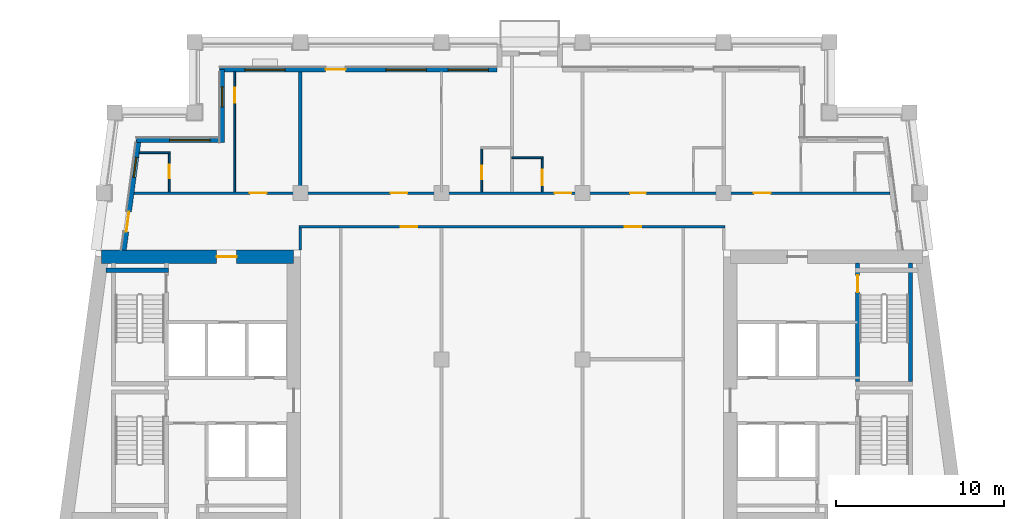
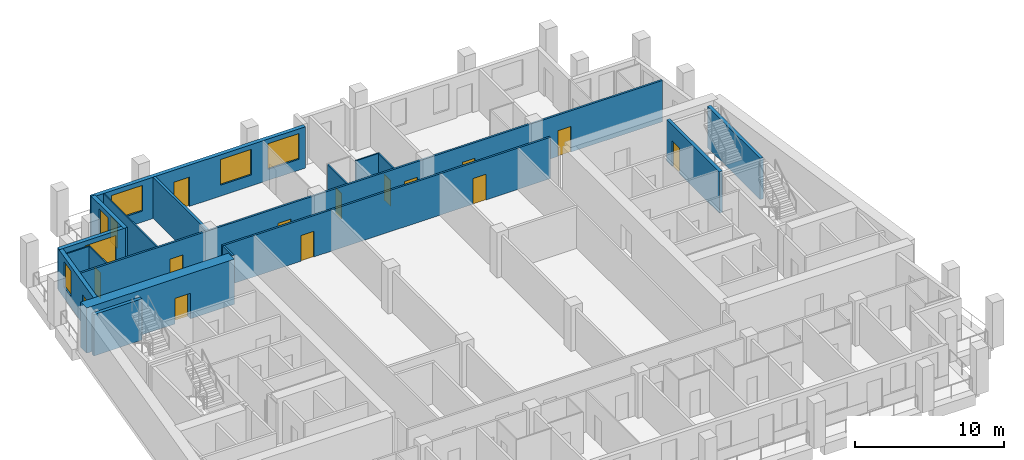
# One storey, part 6 of 13: 18 walls, 15 doors, 6 windows, 21 openings.
"""IFC4 building model written with IfcOpenShell, lengths in metres."""

import ifcopenshell
import ifcopenshell.guid

model = None  # the IFC model being written
_history = None  # IfcOwnerHistory: only IFC2X3 demands one
_inside = {}  # id of a spatial element -> (the spatial element, [elements in it])
_under = {}  # id of a project, library or spatial element -> (it, [spatial elements below it])
_declared = {}  # id of a project -> (the project, [libraries it declares])
_typed = {}  # id of a type object -> (the type object, [elements of that type])
_made_of = {}  # id of a material, layer set ... -> (it, [elements and type objects made of it])


def new_model(schema):
    """Start an empty IFC model of exactly this schema.

    Asked for "IFC4X3", IfcOpenShell would pick the latest addendum, in which some entities
    have other attributes; the version numbers below select the first issue.
    IFC2X3 requires an IfcOwnerHistory on every rooted entity: one is made here for all.
    """
    global model, _history
    if schema == "IFC4X3":
        model = ifcopenshell.file(schema_version=(4, 3, 0, 0))
    else:
        model = ifcopenshell.file(schema=schema)
    _inside.clear()
    _under.clear()
    _declared.clear()
    _typed.clear()
    _made_of.clear()
    _history = None
    if model.schema == "IFC2X3":
        org = make("IfcOrganization", Name="unknown")
        user = make(
            "IfcPersonAndOrganization",
            ThePerson=make("IfcPerson", FamilyName="unknown"),
            TheOrganization=org,
        )
        app = make(
            "IfcApplication",
            ApplicationDeveloper=org,
            Version="unknown",
            ApplicationFullName="unknown",
            ApplicationIdentifier="unknown",
        )
        _history = make(
            "IfcOwnerHistory",
            OwningUser=user,
            OwningApplication=app,
            ChangeAction="ADDED",
            CreationDate=0,
        )
    return model


def make(cls, **values):
    """One entity of the class cls with the attributes given. An attribute that is None is left unset."""
    return model.create_entity(
        cls, **{name: value for name, value in values.items() if value is not None}
    )


def rooted(cls, **values):
    """An entity with a GlobalId (a new one), such as an element, a storey or a relation."""
    return make(cls, GlobalId=ifcopenshell.guid.new(), OwnerHistory=_history, **values)


def si_unit(unit_type, name, prefix=None):
    """IfcSIUnit, for example si_unit("LENGTHUNIT", "METRE", prefix="MILLI")."""
    return make("IfcSIUnit", UnitType=unit_type, Prefix=prefix, Name=name)


def assignment(units):
    """IfcUnitAssignment: the units of a project."""
    return None if units is None else make("IfcUnitAssignment", Units=units)


def point(xyz):
    """IfcCartesianPoint."""
    return None if xyz is None else make("IfcCartesianPoint", Coordinates=xyz)


def direction(xyz):
    """IfcDirection."""
    return None if xyz is None else make("IfcDirection", DirectionRatios=xyz)


def frame(location, z_axis=None, x_axis=None):
    """IfcAxis2Placement3D, a coordinate frame: its origin and axes. An axis left out is left unset."""
    return make(
        "IfcAxis2Placement3D",
        Location=point(location),
        Axis=direction(z_axis),
        RefDirection=direction(x_axis),
    )


def frame_2d(location, x_axis=None):
    """IfcAxis2Placement2D, a coordinate frame in the plane: its origin and x axis."""
    return make(
        "IfcAxis2Placement2D", Location=point(location), RefDirection=direction(x_axis)
    )


def origin():
    """The frame at (0, 0, 0) with its axes left unset."""
    return frame((0.0, 0.0, 0.0))


def place(relative_to, where):
    """IfcLocalPlacement: puts the frame where relative to a parent placement (None: the world)."""
    return make(
        "IfcLocalPlacement", PlacementRelTo=relative_to, RelativePlacement=where
    )


def context(
    kind, dimensions, precision=None, world=None, true_north=None, identifier=None
):
    """IfcGeometricRepresentationContext, for example the 3D "Model" context."""
    return make(
        "IfcGeometricRepresentationContext",
        ContextIdentifier=identifier,
        ContextType=kind,
        CoordinateSpaceDimension=dimensions,
        Precision=precision,
        WorldCoordinateSystem=world,
        TrueNorth=true_north,
    )


def subcontext(parent, identifier, kind, view, scale=None):
    """IfcGeometricRepresentationSubContext, for example "Body" below "Model"."""
    return make(
        "IfcGeometricRepresentationSubContext",
        ContextIdentifier=identifier,
        ContextType=kind,
        ParentContext=parent,
        TargetScale=scale,
        TargetView=view,
    )


def project(units=None, contexts=None):
    """IfcProject with its units and contexts."""
    return rooted(
        "IfcProject",
        Name="project",
        RepresentationContexts=contexts,
        UnitsInContext=assignment(units),
    )


def spatial(cls, under=None, at=None, **own):
    """A site, building, storey or space (cls), placed at a placement, below another one or the project."""
    s = rooted(cls, ObjectPlacement=at, **own)
    if under is not None:
        _under.setdefault(under.id(), (under, []))[1].append(s)
    return s


def profile(cls, at=None, kind="AREA", **sizes):
    """A parametric profile (cls). Its sizes go by their IFC names, for example OverallWidth=200.0."""
    return make(cls, ProfileType=kind, Position=at, **sizes)


def rectangle(**sizes):
    """IfcRectangleProfileDef."""
    return profile("IfcRectangleProfileDef", **sizes)


def extrude(swept, where, along, depth):
    """IfcExtrudedAreaSolid: the profile swept, set in the frame where, extruded along a direction by depth."""
    return make(
        "IfcExtrudedAreaSolid",
        SweptArea=swept,
        Position=where,
        ExtrudedDirection=direction(along),
        Depth=depth,
    )


def shape(context_of_items, identifier, shape_type, items):
    """IfcShapeRepresentation: the items that make up one representation, for example the "Body"."""
    return make(
        "IfcShapeRepresentation",
        ContextOfItems=context_of_items,
        RepresentationIdentifier=identifier,
        RepresentationType=shape_type,
        Items=items,
    )


def material(Name=None, Category=None):
    """IfcMaterial."""
    return make("IfcMaterial", Name=Name, Category=Category)


def layer(
    of_material, thickness, ventilated=None, Name=None, Category=None, Priority=None
):
    """IfcMaterialLayer: one layer of a wall or slab, of a material (None: an air gap)."""
    return make(
        "IfcMaterialLayer",
        Material=of_material,
        LayerThickness=thickness,
        IsVentilated=ventilated,
        Name=Name,
        Category=Category,
        Priority=Priority,
    )


def layer_set(layers, Name=None):
    """IfcMaterialLayerSet."""
    return make("IfcMaterialLayerSet", MaterialLayers=layers, LayerSetName=Name)


def made_of(thing, what):
    """Note that an element or type object is made of a material, layer set ...; save() writes the relation."""
    if what is not None:
        _made_of.setdefault(what.id(), (what, []))[1].append(thing)
    return thing


def type_object(cls, material=None, **own):
    """A type object (cls), such as IfcWallType, which elements share."""
    return made_of(rooted(cls, **own), material)


def element(
    cls,
    number,
    at=None,
    inside=None,
    cuts=None,
    type_object=None,
    material=None,
    context=None,
    identifier="Body",
    shape_type=None,
    held_by="IfcProductDefinitionShape",
    body=None,
    shapes=None,
    **own,
):
    """One element of the class cls, such as IfcWall. Its Tag is "e" and its number.

    at: its placement. inside: the storey or other place that contains it. cuts: it is an
    opening in that element (IfcRelVoidsElement). A single representation is given by context,
    identifier, shape_type and body (its items); several are given by shapes. held_by: the class
    of the entity that holds the representations. save() writes the other relations.
    """
    e = rooted(cls, Tag="e%d" % number, ObjectPlacement=at, **own)
    if body is not None:
        shapes = [shape(context, identifier, shape_type, body)]
    if shapes is not None:
        e.Representation = make(held_by, Representations=shapes)
    if inside is not None:
        _inside.setdefault(inside.id(), (inside, []))[1].append(e)
    if cuts is not None:
        rooted(
            "IfcRelVoidsElement", RelatingBuildingElement=cuts, RelatedOpeningElement=e
        )
    if type_object is not None:
        _typed.setdefault(type_object.id(), (type_object, []))[1].append(e)
    return made_of(e, material)


def fill(opening, filler):
    """IfcRelFillsElement: the door or window that sits in an opening."""
    return rooted(
        "IfcRelFillsElement",
        RelatingOpeningElement=opening,
        RelatedBuildingElement=filler,
    )


def aggregate(whole, parts):
    """IfcRelAggregates: a whole, such as a stair, and the parts it consists of."""
    return rooted("IfcRelAggregates", RelatingObject=whole, RelatedObjects=parts)


def save(model, path):
    """Write the relations noted so far, then the file.

    IfcRelAggregates (storeys below a building ...), IfcRelContainedInSpatialStructure (elements
    in a storey), IfcRelDefinesByType, IfcRelAssociatesMaterial and IfcRelDeclares: one each for
    every whole, place, type object, material and project.
    """
    for whole, parts in _under.values():
        aggregate(whole, parts)
    for where, things in _inside.values():
        rooted(
            "IfcRelContainedInSpatialStructure",
            RelatedElements=things,
            RelatingStructure=where,
        )
    for kind, things in _typed.values():
        rooted("IfcRelDefinesByType", RelatedObjects=things, RelatingType=kind)
    for what, things in _made_of.values():
        rooted("IfcRelAssociatesMaterial", RelatedObjects=things, RelatingMaterial=what)
    for by, libraries in _declared.values():
        rooted("IfcRelDeclares", RelatingContext=by, RelatedDefinitions=libraries)
    model.write(path)


model = new_model("IFC4")

# Units and contexts
model_context = context("Model", 3, precision=1e-05, world=origin(), true_north=direction((0.0, 1.0)))
body_context = subcontext(model_context, "Body", "Model", "MODEL_VIEW")
ifc_project = project(units=[si_unit("LENGTHUNIT", "METRE"), si_unit("AREAUNIT", "SQUARE_METRE"), si_unit("VOLUMEUNIT", "CUBIC_METRE"), si_unit("PLANEANGLEUNIT", "RADIAN"), si_unit("MASSUNIT", "GRAM", prefix="KILO")], contexts=[model_context])

# Site, building, storey
site_placement = place(None, origin())
site = spatial("IfcSite", under=ifc_project, at=site_placement, CompositionType="ELEMENT")
building_placement = place(site_placement, origin())
building = spatial("IfcBuilding", under=site, at=building_placement, Name="Candeia Pilgrim Tower and Theatre", CompositionType="ELEMENT")
storey_placement = place(building_placement, frame((0.0, 0.0, 220.699951171875)))
storey = spatial("IfcBuildingStorey", under=building, at=storey_placement, Name="L53", CompositionType="ELEMENT", Elevation=220.699951171875)

# Wall, opening, door
ifc_material_1 = material(Name="Concrete C50/60", Category="concrete")
ifc_layer_1 = layer(ifc_material_1, 0.800048828125)
ifc_layer_set_1 = layer_set([ifc_layer_1], Name="Core wall 800 C50/60")
wall_type_1 = type_object("IfcWallType", Name="Core wall 800 C50/60", PredefinedType="SHEAR", material=ifc_layer_set_1)
wall_1_placement = place(storey_placement, frame((88.98046875, 132.0, 0.0), z_axis=(0.0, 0.0, 1.0), x_axis=(1.0, 0.0, 0.0)))
wall_1 = element("IfcWall", 1, at=wall_1_placement, inside=storey, type_object=wall_type_1, Name="Core wall W1", PredefinedType="SHEAR", context=body_context, shape_type="SweptSolid", body=[
    extrude(rectangle(XDim=11.41943359375, YDim=0.800048828125, at=frame_2d((5.709716796875, 0.0))), origin(), (0.0, 0.0, 1.0), 3.699951171875),
])
opening_1_placement = place(wall_1_placement, frame((6.8330078125, 0.0, 0.0)))
opening_1 = element("IfcOpeningElement", 2, at=opening_1_placement, cuts=wall_1, Name="Opening L53-D057", PredefinedType="OPENING", context=body_context, shape_type="SweptSolid", body=[
    extrude(rectangle(XDim=1.199951171875, YDim=2.10009765625, at=frame_2d((0.60009765625, 1.050048828125))), frame((0.0, 0.41015625, 0.0), z_axis=(0.0, -1.0, 0.0), x_axis=(1.0, 0.0, 0.0)), (0.0, 0.0, 1.0), 0.820068359375),
])
ifc_material_2 = material(Name="Steel fire door set", Category="steel")
door_type_1 = type_object("IfcDoorType", Name="D-1200-FD60", OperationType="NOTDEFINED", PredefinedType="DOOR", material=ifc_material_2)
door_1_placement = place(opening_1_placement, origin())
door_1 = element("IfcDoor", 3, at=door_1_placement, inside=storey, type_object=door_type_1, Name="Door L53-D057", OperationType="SINGLE_SWING_RIGHT", OverallHeight=2.10009765625, OverallWidth=1.199951171875, PredefinedType="DOOR", context=body_context, shape_type="SweptSolid", body=[
    extrude(rectangle(XDim=1.199951171875, YDim=2.10009765625, at=frame_2d((0.60009765625, 1.050048828125))), frame((0.0, 0.02490234375, 0.0), z_axis=(0.0, -1.0, 0.0), x_axis=(1.0, 0.0, 0.0)), (0.0, 0.0, 1.0), 0.050048828125),
])
fill(opening_1, door_1)

# Wall, openings, door, windows
ifc_material_3 = material(Name="Ceramic block masonry", Category="masonry")
ifc_layer_2 = layer(ifc_material_3, 0.300048828125)
ifc_layer_set_2 = layer_set([ifc_layer_2], Name="EW1 glazing-line wall 300")
wall_type_2 = type_object("IfcWallType", Name="EW1 glazing-line wall 300", PredefinedType="SOLIDWALL", material=ifc_layer_set_2)
wall_2_placement = place(storey_placement, frame((112.5, 143.14990234375, 0.0), z_axis=(0.0, 0.0, 1.0), x_axis=(-1.0, 0.0, 0.0)))
wall_2 = element("IfcWall", 4, at=wall_2_placement, inside=storey, type_object=wall_type_2, Name="External wall L53-6.1", PredefinedType="SOLIDWALL", context=body_context, shape_type="SweptSolid", body=[
    extrude(rectangle(XDim=16.5, YDim=0.300048828125, at=frame_2d((8.25, 0.0))), origin(), (0.0, 0.0, 1.0), 3.380126953125),
])
opening_2_placement = place(wall_2_placement, frame((0.5, 0.0, 0.89990234375)))
opening_2 = element("IfcOpeningElement", 5, at=opening_2_placement, cuts=wall_2, Name="Opening W-A", PredefinedType="OPENING", context=body_context, shape_type="SweptSolid", body=[
    extrude(rectangle(XDim=2.39990234375, YDim=2.10009765625, at=frame_2d((1.199951171875, 1.050048828125))), frame((0.0, 0.16015625, 0.0), z_axis=(0.0, -1.0, 0.0), x_axis=(1.0, 0.0, 0.0)), (0.0, 0.0, 1.0), 0.320068359375),
])
opening_3_placement = place(wall_2_placement, frame((4.199951171875, 0.0, 0.89990234375)))
opening_3 = element("IfcOpeningElement", 6, at=opening_3_placement, cuts=wall_2, Name="Opening W-A", PredefinedType="OPENING", context=body_context, shape_type="SweptSolid", body=[
    extrude(rectangle(XDim=2.39990234375, YDim=2.10009765625, at=frame_2d((1.199951171875, 1.050048828125))), frame((0.0, 0.16015625, 0.0), z_axis=(0.0, -1.0, 0.0), x_axis=(1.0, 0.0, 0.0)), (0.0, 0.0, 1.0), 0.320068359375),
])
opening_4_placement = place(wall_2_placement, frame((9.0, 0.0, 0.0)))
opening_4 = element("IfcOpeningElement", 7, at=opening_4_placement, cuts=wall_2, Name="Opening L53-ED510", PredefinedType="OPENING", context=body_context, shape_type="SweptSolid", body=[
    extrude(rectangle(XDim=1.199951171875, YDim=2.39990234375, at=frame_2d((0.60009765625, 1.199951171875))), frame((0.0, 0.16015625, 0.0), z_axis=(0.0, -1.0, 0.0), x_axis=(1.0, 0.0, 0.0)), (0.0, 0.0, 1.0), 0.320068359375),
])
opening_5_placement = place(wall_2_placement, frame((12.60009765625, 0.0, 0.89990234375)))
opening_5 = element("IfcOpeningElement", 8, at=opening_5_placement, cuts=wall_2, Name="Opening W-A", PredefinedType="OPENING", context=body_context, shape_type="SweptSolid", body=[
    extrude(rectangle(XDim=2.39990234375, YDim=2.10009765625, at=frame_2d((1.199951171875, 1.050048828125))), frame((0.0, 0.16015625, 0.0), z_axis=(0.0, -1.0, 0.0), x_axis=(1.0, 0.0, 0.0)), (0.0, 0.0, 1.0), 0.320068359375),
])
ifc_material_4 = material(Name="Aluminium framed glazed door", Category="aluminium")
door_type_2 = type_object("IfcDoorType", Name="Loggia door 1200x2400", OperationType="DOUBLE_DOOR_SINGLE_SWING", PredefinedType="DOOR", material=ifc_material_4)
door_2_placement = place(opening_4_placement, origin())
door_2 = element("IfcDoor", 9, at=door_2_placement, inside=storey, type_object=door_type_2, Name="Loggia door L53-ED510", OperationType="DOUBLE_DOOR_SINGLE_SWING", OverallHeight=2.39990234375, OverallWidth=1.199951171875, PredefinedType="DOOR", context=body_context, shape_type="SweptSolid", body=[
    extrude(rectangle(XDim=1.199951171875, YDim=2.39990234375, at=frame_2d((0.60009765625, 1.199951171875))), frame((0.0, 0.02490234375, 0.0), z_axis=(0.0, -1.0, 0.0), x_axis=(1.0, 0.0, 0.0)), (0.0, 0.0, 1.0), 0.050048828125),
])
fill(opening_4, door_2)
ifc_material_5 = material(Name="Aluminium framed double glazing", Category="aluminium")
window_type_1 = type_object("IfcWindowType", Name="W-A window 2400x2100", PartitioningType="DOUBLE_PANEL_VERTICAL", PredefinedType="WINDOW", material=ifc_material_5)
window_1_placement = place(opening_2_placement, origin())
window_1 = element("IfcWindow", 10, at=window_1_placement, inside=storey, type_object=window_type_1, Name="Window W-A L53", OverallHeight=2.10009765625, OverallWidth=2.39990234375, PartitioningType="SINGLE_PANEL", PredefinedType="WINDOW", context=body_context, shape_type="SweptSolid", body=[
    extrude(rectangle(XDim=2.39990234375, YDim=2.10009765625, at=frame_2d((1.199951171875, 1.050048828125))), frame((0.0, 0.030029296875, 0.0), z_axis=(0.0, -1.0, 0.0), x_axis=(1.0, 0.0, 0.0)), (0.0, 0.0, 1.0), 0.06005859375),
])
fill(opening_2, window_1)
window_2_placement = place(opening_3_placement, origin())
window_2 = element("IfcWindow", 11, at=window_2_placement, inside=storey, type_object=window_type_1, Name="Window W-A L53", OverallHeight=2.10009765625, OverallWidth=2.39990234375, PartitioningType="SINGLE_PANEL", PredefinedType="WINDOW", context=body_context, shape_type="SweptSolid", body=[
    extrude(rectangle(XDim=2.39990234375, YDim=2.10009765625, at=frame_2d((1.199951171875, 1.050048828125))), frame((0.0, 0.030029296875, 0.0), z_axis=(0.0, -1.0, 0.0), x_axis=(1.0, 0.0, 0.0)), (0.0, 0.0, 1.0), 0.06005859375),
])
fill(opening_3, window_2)
window_3_placement = place(opening_5_placement, origin())
window_3 = element("IfcWindow", 12, at=window_3_placement, inside=storey, type_object=window_type_1, Name="Window W-A L53", OverallHeight=2.10009765625, OverallWidth=2.39990234375, PartitioningType="SINGLE_PANEL", PredefinedType="WINDOW", context=body_context, shape_type="SweptSolid", body=[
    extrude(rectangle(XDim=2.39990234375, YDim=2.10009765625, at=frame_2d((1.199951171875, 1.050048828125))), frame((0.0, 0.030029296875, 0.0), z_axis=(0.0, -1.0, 0.0), x_axis=(1.0, 0.0, 0.0)), (0.0, 0.0, 1.0), 0.06005859375),
])
fill(opening_5, window_3)

# Wall, opening, window
wall_3_placement = place(storey_placement, frame((96.14990234375, 143.14990234375, 0.0), z_axis=(0.0, 0.0, 1.0), x_axis=(0.0, -1.0, 0.0)))
wall_3 = element("IfcWall", 13, at=wall_3_placement, inside=storey, type_object=wall_type_2, Name="External wall L53-7.0", PredefinedType="SOLIDWALL", context=body_context, shape_type="SweptSolid", body=[
    extrude(rectangle(XDim=4.349853515625, YDim=0.300048828125, at=frame_2d((2.1748046875, 0.0))), origin(), (0.0, 0.0, 1.0), 3.380126953125),
])
opening_6_placement = place(wall_3_placement, frame((1.02490234375, 0.0, 0.89990234375)))
opening_6 = element("IfcOpeningElement", 14, at=opening_6_placement, cuts=wall_3, Name="Opening W-B", PredefinedType="OPENING", context=body_context, shape_type="SweptSolid", body=[
    extrude(rectangle(XDim=1.199951171875, YDim=2.10009765625, at=frame_2d((0.60009765625, 1.050048828125))), frame((0.0, 0.16015625, 0.0), z_axis=(0.0, -1.0, 0.0), x_axis=(1.0, 0.0, 0.0)), (0.0, 0.0, 1.0), 0.320068359375),
])
window_type_2 = type_object("IfcWindowType", Name="W-B window 1200x2100", PartitioningType="SINGLE_PANEL", PredefinedType="WINDOW", material=ifc_material_5)
window_4_placement = place(opening_6_placement, origin())
window_4 = element("IfcWindow", 15, at=window_4_placement, inside=storey, type_object=window_type_2, Name="Window W-B L53", OverallHeight=2.10009765625, OverallWidth=1.199951171875, PartitioningType="SINGLE_PANEL", PredefinedType="WINDOW", context=body_context, shape_type="SweptSolid", body=[
    extrude(rectangle(XDim=1.199951171875, YDim=2.10009765625, at=frame_2d((0.60009765625, 1.050048828125))), frame((0.0, 0.030029296875, 0.0), z_axis=(0.0, -1.0, 0.0), x_axis=(1.0, 0.0, 0.0)), (0.0, 0.0, 1.0), 0.06005859375),
])
fill(opening_6, window_4)

wall_4_placement = place(storey_placement, frame((96.14990234375, 138.949951171875, 0.0), z_axis=(0.0, 0.0, 1.0), x_axis=(-1.0, 0.0, 0.0)))
wall_4 = element("IfcWall", 16, at=wall_4_placement, inside=storey, type_object=wall_type_2, Name="External wall L53-8.0", PredefinedType="SOLIDWALL", context=body_context, shape_type="SweptSolid", body=[
    extrude(rectangle(XDim=5.103759765625, YDim=0.300048828125, at=frame_2d((2.5517578125, 0.0))), origin(), (0.0, 0.0, 1.0), 3.380126953125),
])
opening_7_placement = place(wall_4_placement, frame((0.72509765625, 0.0, 0.89990234375)))
opening_7 = element("IfcOpeningElement", 17, at=opening_7_placement, cuts=wall_4, Name="Opening W-A", PredefinedType="OPENING", context=body_context, shape_type="SweptSolid", body=[
    extrude(rectangle(XDim=2.39990234375, YDim=2.10009765625, at=frame_2d((1.199951171875, 1.050048828125))), frame((0.0, 0.16015625, 0.0), z_axis=(0.0, -1.0, 0.0), x_axis=(1.0, 0.0, 0.0)), (0.0, 0.0, 1.0), 0.320068359375),
])
window_5_placement = place(opening_7_placement, origin())
window_5 = element("IfcWindow", 18, at=window_5_placement, inside=storey, type_object=window_type_1, Name="Window W-A L53", OverallHeight=2.10009765625, OverallWidth=2.39990234375, PartitioningType="SINGLE_PANEL", PredefinedType="WINDOW", context=body_context, shape_type="SweptSolid", body=[
    extrude(rectangle(XDim=2.39990234375, YDim=2.10009765625, at=frame_2d((1.199951171875, 1.050048828125))), frame((0.0, 0.030029296875, 0.0), z_axis=(0.0, -1.0, 0.0), x_axis=(1.0, 0.0, 0.0)), (0.0, 0.0, 1.0), 0.06005859375),
])
fill(opening_7, window_5)

# Wall, openings, door, window
wall_5_placement = place(storey_placement, frame((91.177490234375, 138.949951171875, 0.0), z_axis=(0.0, 0.0, 1.0), x_axis=(-0.133426664613, -0.991058689065, 0.0)))
wall_5 = element("IfcWall", 19, at=wall_5_placement, inside=storey, type_object=wall_type_2, Name="External wall L53-9.0", PredefinedType="SOLIDWALL", context=body_context, shape_type="SweptSolid", body=[
    extrude(rectangle(XDim=6.609130859375, YDim=0.300048828125, at=frame_2d((3.3046875, 0.0))), origin(), (0.0, 0.0, 1.0), 3.380126953125),
])
opening_8_placement = place(wall_5_placement, frame((1.039306640625, 0.0, 0.89990234375)))
opening_8 = element("IfcOpeningElement", 20, at=opening_8_placement, cuts=wall_5, Name="Opening W-B", PredefinedType="OPENING", context=body_context, shape_type="SweptSolid", body=[
    extrude(rectangle(XDim=1.199951171875, YDim=2.10009765625, at=frame_2d((0.60009765625, 1.050048828125))), frame((0.0, 0.16015625, 0.0), z_axis=(0.0, -1.0, 0.0), x_axis=(1.0, 0.0, 0.0)), (0.0, 0.0, 1.0), 0.320068359375),
])
opening_9_placement = place(wall_5_placement, frame((4.293701171875, 0.0, 0.0)))
opening_9 = element("IfcOpeningElement", 21, at=opening_9_placement, cuts=wall_5, Name="Opening L53-ED512", PredefinedType="OPENING", context=body_context, shape_type="SweptSolid", body=[
    extrude(rectangle(XDim=1.199951171875, YDim=2.39990234375, at=frame_2d((0.60009765625, 1.199951171875))), frame((0.0, 0.16015625, 0.0), z_axis=(0.0, -1.0, 0.0), x_axis=(1.0, 0.0, 0.0)), (0.0, 0.0, 1.0), 0.320068359375),
])
door_3_placement = place(opening_9_placement, origin())
door_3 = element("IfcDoor", 22, at=door_3_placement, inside=storey, type_object=door_type_2, Name="Loggia door L53-ED512", OperationType="DOUBLE_DOOR_SINGLE_SWING", OverallHeight=2.39990234375, OverallWidth=1.199951171875, PredefinedType="DOOR", context=body_context, shape_type="SweptSolid", body=[
    extrude(rectangle(XDim=1.199951171875, YDim=2.39990234375, at=frame_2d((0.60009765625, 1.199951171875))), frame((0.0, 0.02490234375, 0.0), z_axis=(0.0, -1.0, 0.0), x_axis=(1.0, 0.0, 0.0)), (0.0, 0.0, 1.0), 0.050048828125),
])
fill(opening_9, door_3)
window_6_placement = place(opening_8_placement, origin())
window_6 = element("IfcWindow", 23, at=window_6_placement, inside=storey, type_object=window_type_2, Name="Window W-B L53", OverallHeight=2.10009765625, OverallWidth=1.199951171875, PartitioningType="SINGLE_PANEL", PredefinedType="WINDOW", context=body_context, shape_type="SweptSolid", body=[
    extrude(rectangle(XDim=1.199951171875, YDim=2.10009765625, at=frame_2d((0.60009765625, 1.050048828125))), frame((0.0, 0.030029296875, 0.0), z_axis=(0.0, -1.0, 0.0), x_axis=(1.0, 0.0, 0.0)), (0.0, 0.0, 1.0), 0.06005859375),
])
fill(opening_8, window_6)

# Walls
ifc_material_6 = material(Name="Gypsum board partition on steel studs", Category="steel")
ifc_layer_3 = layer(ifc_material_6, 0.10009765625)
ifc_layer_set_3 = layer_set([ifc_layer_3], Name="PW-100 room partition")
wall_type_3 = type_object("IfcWallType", Name="PW-100 room partition", PredefinedType="PARTITIONING", material=ifc_layer_set_3)
wall_6_placement = place(storey_placement, frame((113.39990234375, 137.89990234375, 0.0), z_axis=(0.0, 0.0, 1.0), x_axis=(1.0, 0.0, 0.0)))
element("IfcWall", 24, at=wall_6_placement, inside=storey, type_object=wall_type_3, Name="Room partition L53-045", PredefinedType="PARTITIONING", context=body_context, shape_type="SweptSolid", body=[
    extrude(rectangle(XDim=1.85009765625, YDim=0.10009765625, at=frame_2d((0.925048828125, 0.0))), origin(), (0.0, 0.0, 1.0), 3.380126953125),
])
wall_7_placement = place(storey_placement, frame((91.2177734375, 138.199951171875, 0.0), z_axis=(0.0, 0.0, 1.0), x_axis=(1.0, 0.0, 0.0)))
element("IfcWall", 25, at=wall_7_placement, inside=storey, type_object=wall_type_3, Name="Room partition L53-046", PredefinedType="PARTITIONING", context=body_context, shape_type="SweptSolid", body=[
    extrude(rectangle(XDim=1.832275390625, YDim=0.10009765625, at=frame_2d((0.916015625, 0.0))), origin(), (0.0, 0.0, 1.0), 3.380126953125),
])

# Wall, opening, door
wall_8_placement = place(storey_placement, frame((93.0, 135.875, 0.0), z_axis=(0.0, 0.0, 1.0), x_axis=(0.0, 1.0, 0.0)))
wall_8 = element("IfcWall", 26, at=wall_8_placement, inside=storey, type_object=wall_type_3, Name="Room partition L53-062", PredefinedType="PARTITIONING", context=body_context, shape_type="SweptSolid", body=[
    extrude(rectangle(XDim=2.27490234375, YDim=0.10009765625, at=frame_2d((1.137451171875, 0.0))), origin(), (0.0, 0.0, 1.0), 3.380126953125),
])
opening_10_placement = place(wall_8_placement, frame((0.81494140625, 0.0, 0.0)))
opening_10 = element("IfcOpeningElement", 27, at=opening_10_placement, cuts=wall_8, Name="Opening L53-D039", PredefinedType="OPENING", context=body_context, shape_type="SweptSolid", body=[
    extrude(rectangle(XDim=0.800048828125, YDim=2.10009765625, at=frame_2d((0.39990234375, 1.050048828125))), frame((0.0, 0.06005859375, 0.0), z_axis=(0.0, -1.0, 0.0), x_axis=(1.0, 0.0, 0.0)), (0.0, 0.0, 1.0), 0.1201171875),
])
ifc_material_7 = material(Name="Timber door leaf", Category="wood")
door_type_3 = type_object("IfcDoorType", Name="D-800", OperationType="NOTDEFINED", PredefinedType="DOOR", material=ifc_material_7)
door_4_placement = place(opening_10_placement, origin())
door_4 = element("IfcDoor", 28, at=door_4_placement, inside=storey, type_object=door_type_3, Name="Door L53-D039", OperationType="SINGLE_SWING_RIGHT", OverallHeight=2.10009765625, OverallWidth=0.800048828125, PredefinedType="DOOR", context=body_context, shape_type="SweptSolid", body=[
    extrude(rectangle(XDim=0.800048828125, YDim=2.10009765625, at=frame_2d((0.39990234375, 1.050048828125))), frame((0.0, 0.02490234375, 0.0), z_axis=(0.0, -1.0, 0.0), x_axis=(1.0, 0.0, 0.0)), (0.0, 0.0, 1.0), 0.050048828125),
])
fill(opening_10, door_4)

wall_9_placement = place(storey_placement, frame((96.89990234375, 135.875, 0.0), z_axis=(0.0, 0.0, 1.0), x_axis=(0.0, 1.0, 0.0)))
wall_9 = element("IfcWall", 29, at=wall_9_placement, inside=storey, type_object=wall_type_3, Name="Room partition L53-067", PredefinedType="PARTITIONING", context=body_context, shape_type="SweptSolid", body=[
    extrude(rectangle(XDim=7.135009765625, YDim=0.10009765625, at=frame_2d((3.5673828125, 0.0))), origin(), (0.0, 0.0, 1.0), 3.380126953125),
])
opening_11_placement = place(wall_9_placement, frame((5.2900390625, 0.0, 0.0)))
opening_11 = element("IfcOpeningElement", 30, at=opening_11_placement, cuts=wall_9, Name="Opening L53-D038", PredefinedType="OPENING", context=body_context, shape_type="SweptSolid", body=[
    extrude(rectangle(XDim=0.89990234375, YDim=2.10009765625, at=frame_2d((0.449951171875, 1.050048828125))), frame((0.0, 0.06005859375, 0.0), z_axis=(0.0, -1.0, 0.0), x_axis=(1.0, 0.0, 0.0)), (0.0, 0.0, 1.0), 0.1201171875),
])
door_type_4 = type_object("IfcDoorType", Name="D-900", OperationType="NOTDEFINED", PredefinedType="DOOR", material=ifc_material_7)
door_5_placement = place(opening_11_placement, origin())
door_5 = element("IfcDoor", 31, at=door_5_placement, inside=storey, type_object=door_type_4, Name="Door L53-D038", OperationType="SINGLE_SWING_LEFT", OverallHeight=2.10009765625, OverallWidth=0.89990234375, PredefinedType="DOOR", context=body_context, shape_type="SweptSolid", body=[
    extrude(rectangle(XDim=0.89990234375, YDim=2.10009765625, at=frame_2d((0.449951171875, 1.050048828125))), frame((0.0, 0.02490234375, 0.0), z_axis=(0.0, -1.0, 0.0), x_axis=(1.0, 0.0, 0.0)), (0.0, 0.0, 1.0), 0.050048828125),
])
fill(opening_11, door_5)

wall_10_placement = place(storey_placement, frame((111.60009765625, 135.875, 0.0), z_axis=(0.0, 0.0, 1.0), x_axis=(0.0, 1.0, 0.0)))
wall_10 = element("IfcWall", 32, at=wall_10_placement, inside=storey, type_object=wall_type_3, Name="Room partition L53-083", PredefinedType="PARTITIONING", context=body_context, shape_type="SweptSolid", body=[
    extrude(rectangle(XDim=2.574951171875, YDim=0.10009765625, at=frame_2d((1.28759765625, 0.0))), origin(), (0.0, 0.0, 1.0), 3.380126953125),
])
opening_12_placement = place(wall_10_placement, frame((0.7548828125, 0.0, 0.0)))
opening_12 = element("IfcOpeningElement", 33, at=opening_12_placement, cuts=wall_10, Name="Opening L53-D042", PredefinedType="OPENING", context=body_context, shape_type="SweptSolid", body=[
    extrude(rectangle(XDim=0.800048828125, YDim=2.10009765625, at=frame_2d((0.39990234375, 1.050048828125))), frame((0.0, 0.06005859375, 0.0), z_axis=(0.0, -1.0, 0.0), x_axis=(1.0, 0.0, 0.0)), (0.0, 0.0, 1.0), 0.1201171875),
])
door_6_placement = place(opening_12_placement, origin())
door_6 = element("IfcDoor", 34, at=door_6_placement, inside=storey, type_object=door_type_3, Name="Door L53-D042", OperationType="SINGLE_SWING_LEFT", OverallHeight=2.10009765625, OverallWidth=0.800048828125, PredefinedType="DOOR", context=body_context, shape_type="SweptSolid", body=[
    extrude(rectangle(XDim=0.800048828125, YDim=2.10009765625, at=frame_2d((0.39990234375, 1.050048828125))), frame((0.0, 0.02490234375, 0.0), z_axis=(0.0, -1.0, 0.0), x_axis=(1.0, 0.0, 0.0)), (0.0, 0.0, 1.0), 0.050048828125),
])
fill(opening_12, door_6)

wall_11_placement = place(storey_placement, frame((115.199951171875, 135.875, 0.0), z_axis=(0.0, 0.0, 1.0), x_axis=(0.0, 1.0, 0.0)))
wall_11 = element("IfcWall", 35, at=wall_11_placement, inside=storey, type_object=wall_type_3, Name="Room partition L53-087", PredefinedType="PARTITIONING", context=body_context, shape_type="SweptSolid", body=[
    extrude(rectangle(XDim=1.97509765625, YDim=0.10009765625, at=frame_2d((0.987548828125, 0.0))), origin(), (0.0, 0.0, 1.0), 3.380126953125),
])
opening_13_placement = place(wall_11_placement, frame((0.39990234375, 0.0, 0.0)))
opening_13 = element("IfcOpeningElement", 36, at=opening_13_placement, cuts=wall_11, Name="Opening L53-D044", PredefinedType="OPENING", context=body_context, shape_type="SweptSolid", body=[
    extrude(rectangle(XDim=0.89990234375, YDim=2.10009765625, at=frame_2d((0.449951171875, 1.050048828125))), frame((0.0, 0.06005859375, 0.0), z_axis=(0.0, -1.0, 0.0), x_axis=(1.0, 0.0, 0.0)), (0.0, 0.0, 1.0), 0.1201171875),
])
door_7_placement = place(opening_13_placement, origin())
door_7 = element("IfcDoor", 37, at=door_7_placement, inside=storey, type_object=door_type_4, Name="Door L53-D044", OperationType="SINGLE_SWING_LEFT", OverallHeight=2.10009765625, OverallWidth=0.89990234375, PredefinedType="DOOR", context=body_context, shape_type="SweptSolid", body=[
    extrude(rectangle(XDim=0.89990234375, YDim=2.10009765625, at=frame_2d((0.449951171875, 1.050048828125))), frame((0.0, 0.02490234375, 0.0), z_axis=(0.0, -1.0, 0.0), x_axis=(1.0, 0.0, 0.0)), (0.0, 0.0, 1.0), 0.050048828125),
])
fill(opening_13, door_7)

# Wall, openings, doors
ifc_layer_4 = layer(ifc_material_6, 0.14990234375)
ifc_layer_set_4 = layer_set([ifc_layer_4], Name="PW-150 unit wall")
wall_type_4 = type_object("IfcWallType", Name="PW-150 unit wall", PredefinedType="PARTITIONING", material=ifc_layer_set_4)
wall_12_placement = place(storey_placement, frame((100.72509765625, 133.800048828125, 0.0), z_axis=(0.0, 0.0, 1.0), x_axis=(1.0, 0.0, 0.0)))
wall_12 = element("IfcWall", 38, at=wall_12_placement, inside=storey, type_object=wall_type_4, Name="Unit wall L53-043", PredefinedType="PARTITIONING", context=body_context, shape_type="SweptSolid", body=[
    extrude(rectangle(XDim=25.349853515625, YDim=0.14990234375, at=frame_2d((12.6748046875, 0.0))), origin(), (0.0, 0.0, 1.0), 3.380126953125),
])
opening_14_placement = place(wall_12_placement, frame((6.050048828125, 0.0, 0.0)))
opening_14 = element("IfcOpeningElement", 39, at=opening_14_placement, cuts=wall_12, Name="Opening L53-D052", PredefinedType="OPENING", context=body_context, shape_type="SweptSolid", body=[
    extrude(rectangle(XDim=1.0, YDim=2.10009765625, at=frame_2d((0.5, 1.050048828125))), frame((0.0, 0.0849609375, 0.0), z_axis=(0.0, -1.0, 0.0), x_axis=(1.0, 0.0, 0.0)), (0.0, 0.0, 1.0), 0.169921875),
])
opening_15_placement = place(wall_12_placement, frame((19.375, 0.0, 0.0)))
opening_15 = element("IfcOpeningElement", 40, at=opening_15_placement, cuts=wall_12, Name="Opening L53-D055", PredefinedType="OPENING", context=body_context, shape_type="SweptSolid", body=[
    extrude(rectangle(XDim=1.0, YDim=2.10009765625, at=frame_2d((0.5, 1.050048828125))), frame((0.0, 0.0849609375, 0.0), z_axis=(0.0, -1.0, 0.0), x_axis=(1.0, 0.0, 0.0)), (0.0, 0.0, 1.0), 0.169921875),
])
door_type_5 = type_object("IfcDoorType", Name="D-1000-FD30S", OperationType="NOTDEFINED", PredefinedType="DOOR", material=ifc_material_2)
door_8_placement = place(opening_14_placement, origin())
door_8 = element("IfcDoor", 41, at=door_8_placement, inside=storey, type_object=door_type_5, Name="Door L53-D052", OperationType="SINGLE_SWING_LEFT", OverallHeight=2.10009765625, OverallWidth=1.0, PredefinedType="DOOR", context=body_context, shape_type="SweptSolid", body=[
    extrude(rectangle(XDim=1.0, YDim=2.10009765625, at=frame_2d((0.5, 1.050048828125))), frame((0.0, 0.02490234375, 0.0), z_axis=(0.0, -1.0, 0.0), x_axis=(1.0, 0.0, 0.0)), (0.0, 0.0, 1.0), 0.050048828125),
])
fill(opening_14, door_8)
door_9_placement = place(opening_15_placement, origin())
door_9 = element("IfcDoor", 42, at=door_9_placement, inside=storey, type_object=door_type_5, Name="Door L53-D055", OperationType="SINGLE_SWING_RIGHT", OverallHeight=2.10009765625, OverallWidth=1.0, PredefinedType="DOOR", context=body_context, shape_type="SweptSolid", body=[
    extrude(rectangle(XDim=1.0, YDim=2.10009765625, at=frame_2d((0.5, 1.050048828125))), frame((0.0, 0.02490234375, 0.0), z_axis=(0.0, -1.0, 0.0), x_axis=(1.0, 0.0, 0.0)), (0.0, 0.0, 1.0), 0.050048828125),
])
fill(opening_15, door_9)

wall_13_placement = place(storey_placement, frame((90.89453125, 135.800048828125, 0.0), z_axis=(0.0, 0.0, 1.0), x_axis=(1.0, 0.0, 0.0)))
wall_13 = element("IfcWall", 43, at=wall_13_placement, inside=storey, type_object=wall_type_4, Name="Unit wall L53-044", PredefinedType="PARTITIONING", context=body_context, shape_type="SweptSolid", body=[
    extrude(rectangle(XDim=45.010986328125, YDim=0.14990234375, at=frame_2d((22.50537109375, 0.0))), origin(), (0.0, 0.0, 1.0), 3.380126953125),
])
opening_16_placement = place(wall_13_placement, frame((6.905517578125, 0.0, 0.0)))
opening_16 = element("IfcOpeningElement", 44, at=opening_16_placement, cuts=wall_13, Name="Opening L53-D037", PredefinedType="OPENING", context=body_context, shape_type="SweptSolid", body=[
    extrude(rectangle(XDim=1.0, YDim=2.10009765625, at=frame_2d((0.5, 1.050048828125))), frame((0.0, 0.0849609375, 0.0), z_axis=(0.0, -1.0, 0.0), x_axis=(1.0, 0.0, 0.0)), (0.0, 0.0, 1.0), 0.169921875),
])
opening_17_placement = place(wall_13_placement, frame((15.280517578125, 0.0, 0.0)))
opening_17 = element("IfcOpeningElement", 45, at=opening_17_placement, cuts=wall_13, Name="Opening L53-D040", PredefinedType="OPENING", context=body_context, shape_type="SweptSolid", body=[
    extrude(rectangle(XDim=1.0, YDim=2.10009765625, at=frame_2d((0.5, 1.050048828125))), frame((0.0, 0.0849609375, 0.0), z_axis=(0.0, -1.0, 0.0), x_axis=(1.0, 0.0, 0.0)), (0.0, 0.0, 1.0), 0.169921875),
])
opening_18_placement = place(wall_13_placement, frame((25.04541015625, 0.0, 0.0)))
opening_18 = element("IfcOpeningElement", 46, at=opening_18_placement, cuts=wall_13, Name="Opening L53-D043", PredefinedType="OPENING", context=body_context, shape_type="SweptSolid", body=[
    extrude(rectangle(XDim=1.0, YDim=2.10009765625, at=frame_2d((0.5, 1.050048828125))), frame((0.0, 0.0849609375, 0.0), z_axis=(0.0, -1.0, 0.0), x_axis=(1.0, 0.0, 0.0)), (0.0, 0.0, 1.0), 0.169921875),
])
opening_19_placement = place(wall_13_placement, frame((29.530517578125, 0.0, 0.0)))
opening_19 = element("IfcOpeningElement", 47, at=opening_19_placement, cuts=wall_13, Name="Opening L53-D045", PredefinedType="OPENING", context=body_context, shape_type="SweptSolid", body=[
    extrude(rectangle(XDim=0.949951171875, YDim=2.10009765625, at=frame_2d((0.47509765625, 1.050048828125))), frame((0.0, 0.0849609375, 0.0), z_axis=(0.0, -1.0, 0.0), x_axis=(1.0, 0.0, 0.0)), (0.0, 0.0, 1.0), 0.169921875),
])
opening_20_placement = place(wall_13_placement, frame((36.905517578125, 0.0, 0.0)))
opening_20 = element("IfcOpeningElement", 48, at=opening_20_placement, cuts=wall_13, Name="Opening L53-D047", PredefinedType="OPENING", context=body_context, shape_type="SweptSolid", body=[
    extrude(rectangle(XDim=1.0, YDim=2.10009765625, at=frame_2d((0.5, 1.050048828125))), frame((0.0, 0.0849609375, 0.0), z_axis=(0.0, -1.0, 0.0), x_axis=(1.0, 0.0, 0.0)), (0.0, 0.0, 1.0), 0.169921875),
])
door_10_placement = place(opening_16_placement, origin())
door_10 = element("IfcDoor", 49, at=door_10_placement, inside=storey, type_object=door_type_5, Name="Door L53-D037", OperationType="SINGLE_SWING_RIGHT", OverallHeight=2.10009765625, OverallWidth=1.0, PredefinedType="DOOR", context=body_context, shape_type="SweptSolid", body=[
    extrude(rectangle(XDim=1.0, YDim=2.10009765625, at=frame_2d((0.5, 1.050048828125))), frame((0.0, 0.02490234375, 0.0), z_axis=(0.0, -1.0, 0.0), x_axis=(1.0, 0.0, 0.0)), (0.0, 0.0, 1.0), 0.050048828125),
])
fill(opening_16, door_10)
door_11_placement = place(opening_17_placement, origin())
door_11 = element("IfcDoor", 50, at=door_11_placement, inside=storey, type_object=door_type_5, Name="Door L53-D040", OperationType="SINGLE_SWING_LEFT", OverallHeight=2.10009765625, OverallWidth=1.0, PredefinedType="DOOR", context=body_context, shape_type="SweptSolid", body=[
    extrude(rectangle(XDim=1.0, YDim=2.10009765625, at=frame_2d((0.5, 1.050048828125))), frame((0.0, 0.02490234375, 0.0), z_axis=(0.0, -1.0, 0.0), x_axis=(1.0, 0.0, 0.0)), (0.0, 0.0, 1.0), 0.050048828125),
])
fill(opening_17, door_11)
door_12_placement = place(opening_18_placement, origin())
door_12 = element("IfcDoor", 51, at=door_12_placement, inside=storey, type_object=door_type_5, Name="Door L53-D043", OperationType="SINGLE_SWING_RIGHT", OverallHeight=2.10009765625, OverallWidth=1.0, PredefinedType="DOOR", context=body_context, shape_type="SweptSolid", body=[
    extrude(rectangle(XDim=1.0, YDim=2.10009765625, at=frame_2d((0.5, 1.050048828125))), frame((0.0, 0.02490234375, 0.0), z_axis=(0.0, -1.0, 0.0), x_axis=(1.0, 0.0, 0.0)), (0.0, 0.0, 1.0), 0.050048828125),
])
fill(opening_18, door_12)
door_13_placement = place(opening_20_placement, origin())
door_13 = element("IfcDoor", 52, at=door_13_placement, inside=storey, type_object=door_type_5, Name="Door L53-D047", OperationType="SINGLE_SWING_RIGHT", OverallHeight=2.10009765625, OverallWidth=1.0, PredefinedType="DOOR", context=body_context, shape_type="SweptSolid", body=[
    extrude(rectangle(XDim=1.0, YDim=2.10009765625, at=frame_2d((0.5, 1.050048828125))), frame((0.0, 0.02490234375, 0.0), z_axis=(0.0, -1.0, 0.0), x_axis=(1.0, 0.0, 0.0)), (0.0, 0.0, 1.0), 0.050048828125),
])
fill(opening_20, door_13)
door_type_6 = type_object("IfcDoorType", Name="D-950-FD30S", OperationType="NOTDEFINED", PredefinedType="DOOR", material=ifc_material_2)
door_14_placement = place(opening_19_placement, origin())
door_14 = element("IfcDoor", 53, at=door_14_placement, inside=storey, type_object=door_type_6, Name="Door L53-D045", OperationType="SINGLE_SWING_RIGHT", OverallHeight=2.10009765625, OverallWidth=0.949951171875, PredefinedType="DOOR", context=body_context, shape_type="SweptSolid", body=[
    extrude(rectangle(XDim=0.949951171875, YDim=2.10009765625, at=frame_2d((0.47509765625, 1.050048828125))), frame((0.0, 0.02490234375, 0.0), z_axis=(0.0, -1.0, 0.0), x_axis=(1.0, 0.0, 0.0)), (0.0, 0.0, 1.0), 0.050048828125),
])
fill(opening_19, door_14)

# Walls
wall_14_placement = place(storey_placement, frame((100.800048828125, 132.39990234375, 0.0), z_axis=(0.0, 0.0, 1.0), x_axis=(0.0, 1.0, 0.0)))
element("IfcWall", 54, at=wall_14_placement, inside=storey, type_object=wall_type_4, Name="Unit wall L53-075", PredefinedType="PARTITIONING", context=body_context, shape_type="SweptSolid", body=[
    extrude(rectangle(XDim=1.3251953125, YDim=0.14990234375, at=frame_2d((0.66259765625, 0.0))), origin(), (0.0, 0.0, 1.0), 3.380126953125),
])
ifc_layer_5 = layer(ifc_material_6, 0.199951171875)
ifc_layer_set_5 = layer_set([ifc_layer_5], Name="PW-200 party wall")
wall_type_5 = type_object("IfcWallType", Name="PW-200 party wall", PredefinedType="PARTITIONING", material=ifc_layer_set_5)
wall_15_placement = place(storey_placement, frame((100.800048828125, 135.875, 0.0), z_axis=(0.0, 0.0, 1.0), x_axis=(0.0, 1.0, 0.0)))
element("IfcWall", 55, at=wall_15_placement, inside=storey, type_object=wall_type_5, Name="Party wall L53-073", PredefinedType="PARTITIONING", context=body_context, shape_type="SweptSolid", body=[
    extrude(rectangle(XDim=7.135009765625, YDim=0.199951171875, at=frame_2d((3.5673828125, 0.0))), origin(), (0.0, 0.0, 1.0), 3.380126953125),
])
ifc_material_8 = material(Name="Concrete C40/50", Category="concrete")
ifc_layer_6 = layer(ifc_material_8, 0.25)
ifc_layer_set_6 = layer_set([ifc_layer_6], Name="SW-250 stair wall")
wall_type_6 = type_object("IfcWallType", Name="SW-250 stair wall", PredefinedType="PARTITIONING", material=ifc_layer_set_6)
wall_16_placement = place(storey_placement, frame((89.246337890625, 131.199951171875, 0.0), z_axis=(0.0, 0.0, 1.0), x_axis=(1.0, 0.0, 0.0)))
element("IfcWall", 56, at=wall_16_placement, inside=storey, type_object=wall_type_6, Name="Stair wall L53-041", PredefinedType="PARTITIONING", context=body_context, shape_type="SweptSolid", body=[
    extrude(rectangle(XDim=3.70556640625, YDim=0.25, at=frame_2d((1.852783203125, 0.0))), origin(), (0.0, 0.0, 1.0), 3.380126953125),
])

# Wall, opening, door
wall_17_placement = place(storey_placement, frame((133.972900390625, 124.574951171875, 0.0), z_axis=(0.0, 0.0, 1.0), x_axis=(0.0, 1.0, 0.0)))
wall_17 = element("IfcWall", 57, at=wall_17_placement, inside=storey, type_object=wall_type_6, Name="Stair wall L53-116", PredefinedType="PARTITIONING", context=body_context, shape_type="SweptSolid", body=[
    extrude(rectangle(XDim=7.054931640625, YDim=0.25, at=frame_2d((3.52734375, 0.0))), origin(), (0.0, 0.0, 1.0), 3.380126953125),
])
opening_21_placement = place(wall_17_placement, frame((5.324951171875, 0.0, 0.0)))
opening_21 = element("IfcOpeningElement", 58, at=opening_21_placement, cuts=wall_17, Name="Opening L53-D011", PredefinedType="OPENING", context=body_context, shape_type="SweptSolid", body=[
    extrude(rectangle(XDim=1.0, YDim=2.10009765625, at=frame_2d((0.5, 1.050048828125))), frame((0.0, 0.135009765625, 0.0), z_axis=(0.0, -1.0, 0.0), x_axis=(1.0, 0.0, 0.0)), (0.0, 0.0, 1.0), 0.27001953125),
])
door_type_7 = type_object("IfcDoorType", Name="D-1000-FD60", OperationType="NOTDEFINED", PredefinedType="DOOR", material=ifc_material_2)
door_15_placement = place(opening_21_placement, origin())
door_15 = element("IfcDoor", 59, at=door_15_placement, inside=storey, type_object=door_type_7, Name="Door L53-D011", OperationType="SINGLE_SWING_RIGHT", OverallHeight=2.10009765625, OverallWidth=1.0, PredefinedType="DOOR", context=body_context, shape_type="SweptSolid", body=[
    extrude(rectangle(XDim=1.0, YDim=2.10009765625, at=frame_2d((0.5, 1.050048828125))), frame((0.0, 0.02490234375, 0.0), z_axis=(0.0, -1.0, 0.0), x_axis=(1.0, 0.0, 0.0)), (0.0, 0.0, 1.0), 0.050048828125),
])
fill(opening_21, door_15)

# Wall
wall_18_placement = place(storey_placement, frame((137.123046875, 124.574951171875, 0.0), z_axis=(0.0, 0.0, 1.0), x_axis=(0.0, 1.0, 0.0)))
element("IfcWall", 60, at=wall_18_placement, inside=storey, type_object=wall_type_6, Name="Stair wall L53-120", PredefinedType="PARTITIONING", context=body_context, shape_type="SweptSolid", body=[
    extrude(rectangle(XDim=7.054931640625, YDim=0.25, at=frame_2d((3.52734375, 0.0))), origin(), (0.0, 0.0, 1.0), 3.380126953125),
])

save(model, "model.ifc")
